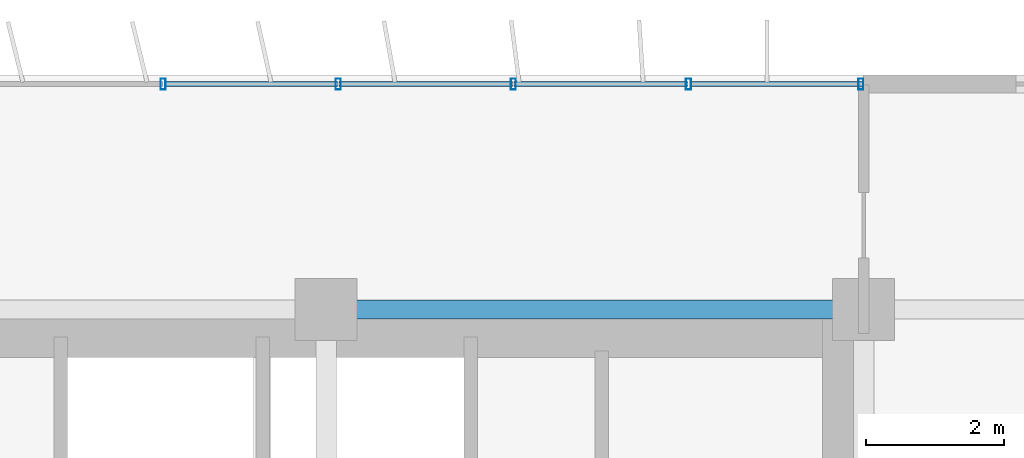
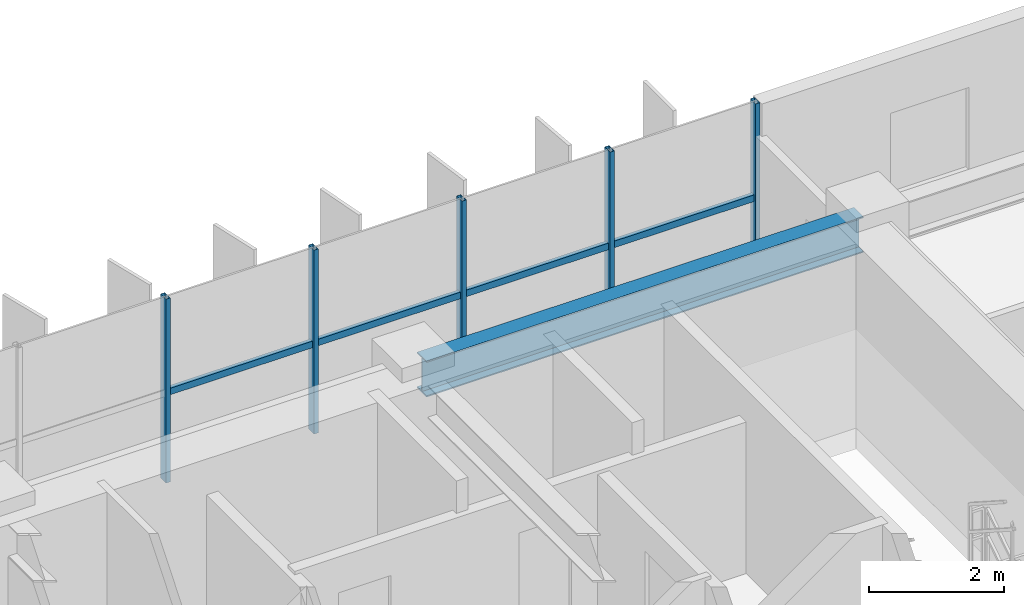
# One storey, part 11 of 26: 9 members, 1 beam, 1 element without a shape of its own.
"""IFC4 building model written with IfcOpenShell, lengths in metres."""

from ifc_helpers import new_model, si_unit, direction, frame, origin, origin_2d, place, context, subcontext, project, spatial, hollow_rectangle, i_section, extrude, source, transform, mapped, material, material_profile, profile_set, type_object, element, aggregate, save


model = new_model("IFC4")

# Units and contexts
model_context = context("Model", 3, precision=1e-05, world=origin(), true_north=direction((0.0, 1.0)))
body_context = subcontext(model_context, "Body", "Model", "MODEL_VIEW")
ifc_project = project(units=[si_unit("LENGTHUNIT", "METRE"), si_unit("AREAUNIT", "SQUARE_METRE"), si_unit("VOLUMEUNIT", "CUBIC_METRE"), si_unit("PLANEANGLEUNIT", "RADIAN"), si_unit("MASSUNIT", "GRAM", prefix="KILO")], contexts=[model_context])

# Site, building, storey
site_placement = place(None, origin())
site = spatial("IfcSite", under=ifc_project, at=site_placement, CompositionType="ELEMENT")
building_placement = place(site_placement, origin())
building = spatial("IfcBuilding", under=site, at=building_placement, Name="Trelvane Seafront Commons", CompositionType="ELEMENT")
storey_placement = place(building_placement, frame((0.0, 0.0, 23.5)))
storey = spatial("IfcBuildingStorey", under=building, at=storey_placement, Name="L05", CompositionType="ELEMENT", Elevation=23.5)

# Beam
ifc_material_1 = material(Name="Steel SM355 (S355)", Category="steel")
ifc_material_profile_1 = material_profile(ifc_material_1, i_section(OverallWidth=0.280029296875, OverallDepth=0.64990234375, WebThickness=0.012939453125, FlangeThickness=0.02197265625, at=origin_2d()), Name="H-650x280x13x22")
ifc_profile_set_1 = profile_set([ifc_material_profile_1], Name="Steel SM355 (S355)")
beam_type = type_object("IfcBeamType", Name="STR-BM-H650", PredefinedType="BEAM", material=ifc_profile_set_1)
shared_shape_1 = source(origin(), body_context, "Body", "SweptSolid", [
    extrude(i_section(OverallWidth=0.280029296875, OverallDepth=0.64990234375, WebThickness=0.012939453125, FlangeThickness=0.02197265625, at=origin_2d()), origin(), (0.0, 0.0, 1.0), 7.5),
])
beam_placement = place(storey_placement, frame((51.14990234375, 45.10009765625, 3.014892578125), z_axis=(1.0, 0.0, 0.0), x_axis=(0.0, 1.0, 0.0)))
element("IfcBeam", 1, at=beam_placement, inside=storey, type_object=beam_type, Name="L05 Primary Girder G-34", PredefinedType="BEAM", context=body_context, shape_type="MappedRepresentation", body=[
    mapped(shared_shape_1, transform((0.0, 0.0, 0.0), x_axis=(1.0, 0.0, 0.0), y_axis=(0.0, 1.0, 0.0), z_axis=(0.0, 0.0, 1.0), scale=1.0)),
])

# Curtain wall, members
ifc_material_2 = material(Name="Anodised pale-silver aluminium", Category="aluminium")
curtain_wall_type = type_object("IfcCurtainWallType", Name="ARCH-CW2-LOWTOWER", PredefinedType="NOTDEFINED", material=ifc_material_2)
curtain_wall_placement = place(storey_placement, origin())
curtain_wall = element("IfcCurtainWall", 2, at=curtain_wall_placement, inside=storey, type_object=curtain_wall_type, Name="CW-L05-0029", PredefinedType="NOTDEFINED")
ifc_material_profile_2 = material_profile(ifc_material_2, hollow_rectangle(XDim=0.074951171875, YDim=0.159912109375, WallThickness=0.00390625, at=origin_2d()), Name="MULL-75x160x4")
ifc_profile_set_2 = profile_set([ifc_material_profile_2], Name="Anodised pale-silver aluminium")
member_type_1 = type_object("IfcMemberType", Name="ARCH-CW-MULL-160", PredefinedType="MULLION", material=ifc_profile_set_2)
shared_shape_2 = source(origin(), body_context, "Body", "SweptSolid", [
    extrude(hollow_rectangle(XDim=0.074951171875, YDim=0.159912109375, WallThickness=0.00390625, at=origin_2d()), origin(), (0.0, 0.0, 1.0), 3.340087890625),
])
member_1_placement = place(storey_placement, frame((48.63525390625, 48.3701171875, 0.0), z_axis=(0.0, 0.0, 1.0), x_axis=(1.0, 0.0, 0.0)))
member_1 = element("IfcMember", 3, at=member_1_placement, type_object=member_type_1, Name="CW-L05-0029-M13", PredefinedType="MULLION", context=body_context, shape_type="MappedRepresentation", body=[
    mapped(shared_shape_2, transform((0.0, 0.0, 0.0), x_axis=(1.0, 0.0, 0.0), y_axis=(0.0, 1.0, 0.0), z_axis=(0.0, 0.0, 1.0), scale=1.0)),
])
member_2_placement = place(storey_placement, frame((51.176513671875, 48.3701171875, 0.0), z_axis=(0.0, 0.0, 1.0), x_axis=(1.0, 0.0, 0.0)))
member_2 = element("IfcMember", 4, at=member_2_placement, type_object=member_type_1, Name="CW-L05-0029-M14", PredefinedType="MULLION", context=body_context, shape_type="MappedRepresentation", body=[
    mapped(shared_shape_2, transform((0.0, 0.0, 0.0), x_axis=(1.0, 0.0, 0.0), y_axis=(0.0, 1.0, 0.0), z_axis=(0.0, 0.0, 1.0), scale=1.0)),
])
member_3_placement = place(storey_placement, frame((53.717529296875, 48.3701171875, 0.0), z_axis=(0.0, 0.0, 1.0), x_axis=(1.0, 0.0, 0.0)))
member_3 = element("IfcMember", 5, at=member_3_placement, type_object=member_type_1, Name="CW-L05-0029-M15", PredefinedType="MULLION", context=body_context, shape_type="MappedRepresentation", body=[
    mapped(shared_shape_2, transform((0.0, 0.0, 0.0), x_axis=(1.0, 0.0, 0.0), y_axis=(0.0, 1.0, 0.0), z_axis=(0.0, 0.0, 1.0), scale=1.0)),
])
member_4_placement = place(storey_placement, frame((56.2587890625, 48.3701171875, 0.0), z_axis=(0.0, 0.0, 1.0), x_axis=(1.0, 0.0, 0.0)))
member_4 = element("IfcMember", 6, at=member_4_placement, type_object=member_type_1, Name="CW-L05-0029-M16", PredefinedType="MULLION", context=body_context, shape_type="MappedRepresentation", body=[
    mapped(shared_shape_2, transform((0.0, 0.0, 0.0), x_axis=(1.0, 0.0, 0.0), y_axis=(0.0, 1.0, 0.0), z_axis=(0.0, 0.0, 1.0), scale=1.0)),
])
member_5_placement = place(storey_placement, frame((58.760009765625, 48.3701171875, 0.0), z_axis=(0.0, 0.0, 1.0), x_axis=(1.0, 0.0, 0.0)))
member_5 = element("IfcMember", 7, at=member_5_placement, type_object=member_type_1, Name="CW-L05-0029-M17", PredefinedType="MULLION", context=body_context, shape_type="MappedRepresentation", body=[
    mapped(shared_shape_2, transform((0.0, 0.0, 0.0), x_axis=(1.0, 0.0, 0.0), y_axis=(0.0, 1.0, 0.0), z_axis=(0.0, 0.0, 1.0), scale=1.0)),
])
ifc_material_profile_3 = material_profile(ifc_material_2, hollow_rectangle(XDim=0.070068359375, YDim=0.1201171875, WallThickness=0.00390625, at=origin_2d()), Name="TRAN-70x120x4")
ifc_profile_set_3 = profile_set([ifc_material_profile_3], Name="Anodised pale-silver aluminium")
member_type_2 = type_object("IfcMemberType", Name="ARCH-CW-TRAN-120", PredefinedType="USERDEFINED", material=ifc_profile_set_3)
shared_shape_3 = source(origin(), body_context, "Body", "SweptSolid", [
    extrude(hollow_rectangle(XDim=0.070068359375, YDim=0.1201171875, WallThickness=0.00390625, at=origin_2d()), origin(), (0.0, 0.0, 1.0), 2.51708984375),
])
member_6_placement = place(storey_placement, frame((51.1884765625, 48.3701171875, 1.60302734375), z_axis=(1.0, 0.0, 0.0), x_axis=(0.0, 1.0, 0.0)))
member_6 = element("IfcMember", 8, at=member_6_placement, type_object=member_type_2, Name="CW-L05-0029-T14", ObjectType="TRANSOM", PredefinedType="USERDEFINED", context=body_context, shape_type="MappedRepresentation", body=[
    mapped(shared_shape_3, transform((0.0, 0.0, 0.0), x_axis=(1.0, 0.0, 0.0), y_axis=(0.0, 1.0, 0.0), z_axis=(0.0, 0.0, 1.0), scale=1.0)),
])
shared_shape_4 = source(origin(), body_context, "Body", "SweptSolid", [
    extrude(hollow_rectangle(XDim=0.070068359375, YDim=0.1201171875, WallThickness=0.00390625, at=origin_2d()), origin(), (0.0, 0.0, 1.0), 2.517333984375),
])
member_7_placement = place(storey_placement, frame((48.647216796875, 48.3701171875, 1.60302734375), z_axis=(1.0, 0.0, 0.0), x_axis=(0.0, 1.0, 0.0)))
member_7 = element("IfcMember", 9, at=member_7_placement, type_object=member_type_2, Name="CW-L05-0029-T13", ObjectType="TRANSOM", PredefinedType="USERDEFINED", context=body_context, shape_type="MappedRepresentation", body=[
    mapped(shared_shape_4, transform((0.0, 0.0, 0.0), x_axis=(1.0, 0.0, 0.0), y_axis=(0.0, 1.0, 0.0), z_axis=(0.0, 0.0, 1.0), scale=1.0)),
])
member_8_placement = place(storey_placement, frame((53.7294921875, 48.3701171875, 1.60302734375), z_axis=(1.0, 0.0, 0.0), x_axis=(0.0, 1.0, 0.0)))
member_8 = element("IfcMember", 10, at=member_8_placement, type_object=member_type_2, Name="CW-L05-0029-T15", ObjectType="TRANSOM", PredefinedType="USERDEFINED", context=body_context, shape_type="MappedRepresentation", body=[
    mapped(shared_shape_4, transform((0.0, 0.0, 0.0), x_axis=(1.0, 0.0, 0.0), y_axis=(0.0, 1.0, 0.0), z_axis=(0.0, 0.0, 1.0), scale=1.0)),
])
member_9_placement = place(storey_placement, frame((56.270751953125, 48.3701171875, 1.60302734375), z_axis=(1.0, 0.0, 0.0), x_axis=(0.0, 1.0, 0.0)))
member_9 = element("IfcMember", 11, at=member_9_placement, type_object=member_type_2, Name="CW-L05-0029-T16", ObjectType="TRANSOM", PredefinedType="USERDEFINED", context=body_context, shape_type="MappedRepresentation", body=[
    mapped(shared_shape_4, transform((0.0, 0.0, 0.0), x_axis=(1.0, 0.0, 0.0), y_axis=(0.0, 1.0, 0.0), z_axis=(0.0, 0.0, 1.0), scale=1.0)),
])
aggregate(curtain_wall, [member_1, member_2, member_3, member_4, member_5, member_7, member_6, member_8, member_9])

save(model, "model.ifc")
